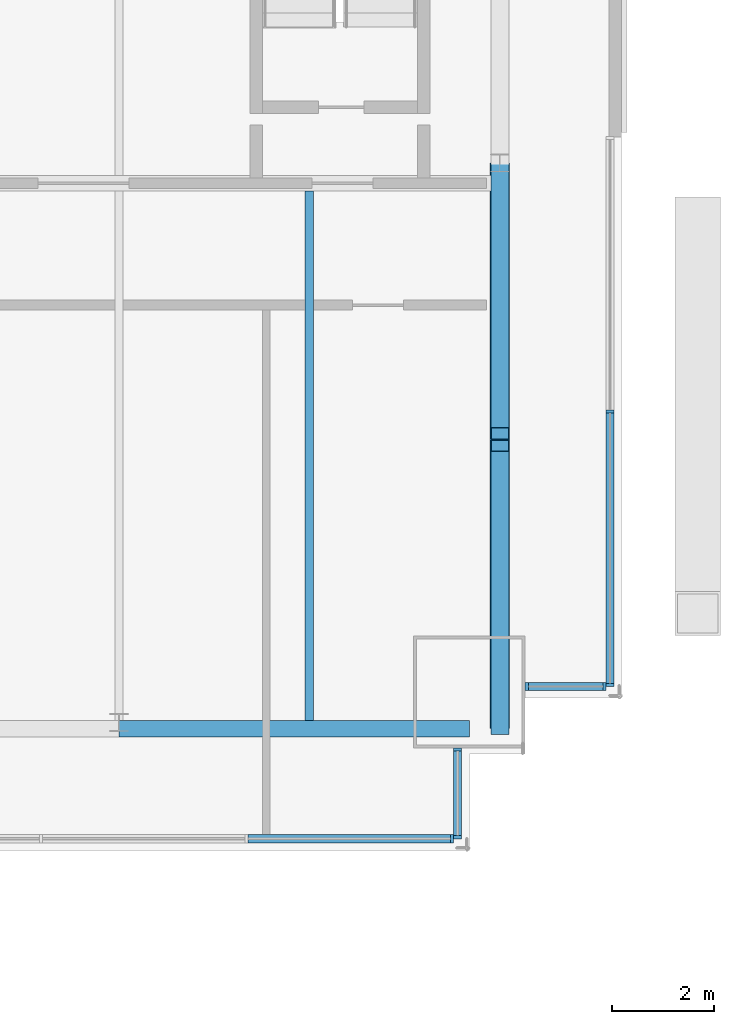
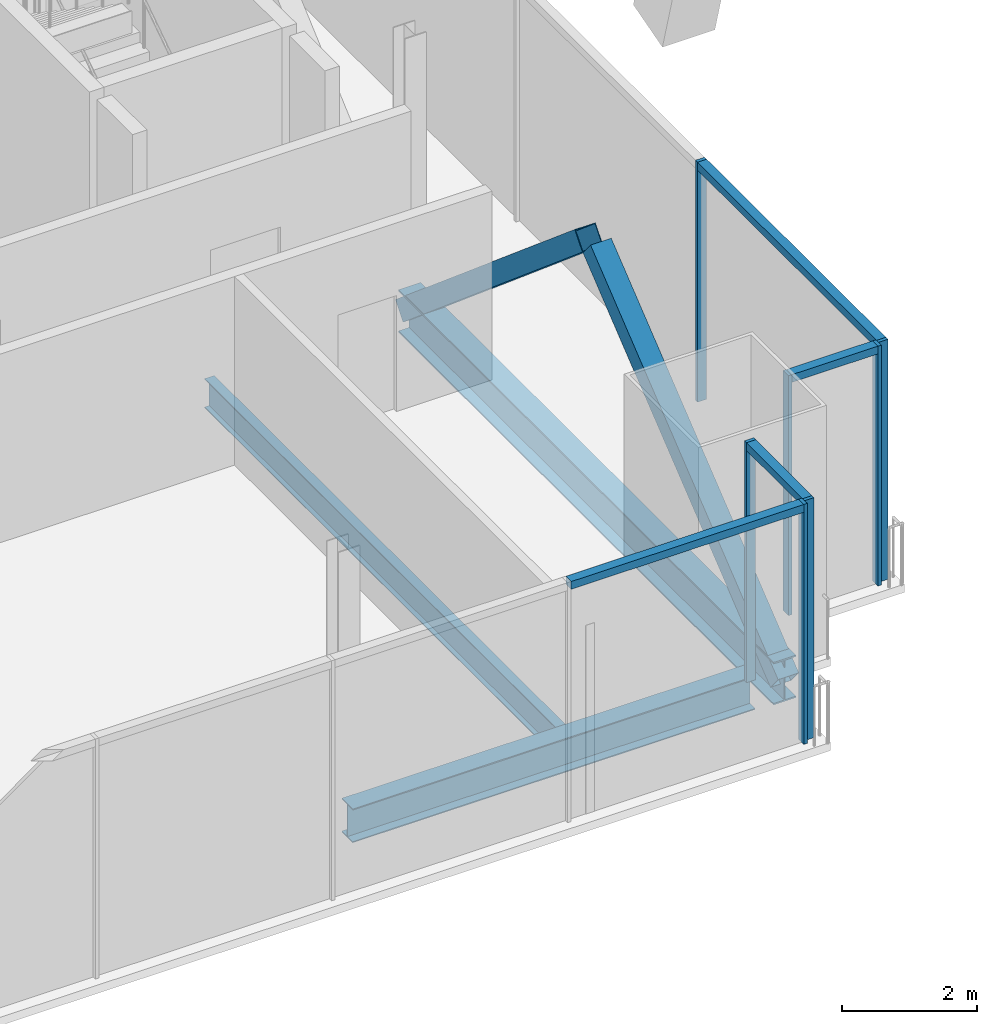
# One storey, part 12 of 22: 13 members, 3 beams, 4 elements without a shape of their own.
"""IFC4 building model written with IfcOpenShell, lengths in metres."""

from ifc_helpers import new_model, si_unit, direction, frame, origin, origin_2d, place, context, subcontext, project, spatial, rectangle, hollow_rectangle, i_section, extrude, material, material_profile, profile_set, type_object, element, aggregate, save


model = new_model("IFC4")

# Units and contexts
model_context = context("Model", 3, precision=1e-05, world=origin(), true_north=direction((0.0, 1.0)))
body_context = subcontext(model_context, "Body", "Model", "MODEL_VIEW")
ifc_project = project(units=[si_unit("LENGTHUNIT", "METRE"), si_unit("AREAUNIT", "SQUARE_METRE"), si_unit("VOLUMEUNIT", "CUBIC_METRE"), si_unit("PLANEANGLEUNIT", "RADIAN"), si_unit("MASSUNIT", "GRAM", prefix="KILO")], contexts=[model_context])

# Site, building, storey
site_placement = place(None, origin())
site = spatial("IfcSite", under=ifc_project, at=site_placement, CompositionType="ELEMENT")
building_placement = place(site_placement, origin())
building = spatial("IfcBuilding", under=site, at=building_placement, Name="Bicima Exchange Tower", CompositionType="ELEMENT")
storey_placement = place(building_placement, frame((0.0, 0.0, 315.5)))
storey = spatial("IfcBuildingStorey", under=building, at=storey_placement, Name="L71", CompositionType="ELEMENT", Elevation=315.5)

# Curtain wall, members
ifc_material_1 = material(Name="Anodised bronze aluminium", Category="aluminium")
curtain_wall_type_1 = type_object("IfcCurtainWallType", Name="End face glass wall", PredefinedType="NOTDEFINED", material=ifc_material_1)
curtain_wall_1_placement = place(storey_placement, origin())
curtain_wall_1 = element("IfcCurtainWall", 1, at=curtain_wall_1_placement, inside=storey, type_object=curtain_wall_type_1, Name="End face glass wall L71 run 19", PredefinedType="NOTDEFINED")
ifc_material_profile_1 = material_profile(ifc_material_1, rectangle(XDim=0.159912109375, YDim=0.06005859375, at=origin_2d()))
ifc_profile_set_1 = profile_set([ifc_material_profile_1], Name="Anodised bronze aluminium")
member_type_1 = type_object("IfcMemberType", Name="End face glass wall mullion 60 x 160", PredefinedType="MULLION", material=ifc_profile_set_1)
member_1_placement = place(storey_placement, frame((35.77001953125, -22.8798828125, 0.0), z_axis=(0.0, 0.0, 1.0), x_axis=(-1.0, 0.0, 0.0)))
member_1 = element("IfcMember", 2, at=member_1_placement, type_object=member_type_1, Name="End face glass wall mullion 1", PredefinedType="MULLION", context=body_context, shape_type="SweptSolid", body=[
    extrude(rectangle(XDim=0.159912109375, YDim=0.06005859375, at=origin_2d()), origin(), (0.0, 0.0, 1.0), 4.35009765625),
])
member_2_placement = place(storey_placement, frame((35.77001953125, -17.4951171875, 0.0), z_axis=(0.0, 0.0, 1.0), x_axis=(-1.0, 0.0, 0.0)))
member_2 = element("IfcMember", 3, at=member_2_placement, type_object=member_type_1, Name="End face glass wall mullion 2", PredefinedType="MULLION", context=body_context, shape_type="SweptSolid", body=[
    extrude(rectangle(XDim=0.159912109375, YDim=0.06005859375, at=origin_2d()), origin(), (0.0, 0.0, 1.0), 4.35009765625),
])
ifc_material_profile_2 = material_profile(ifc_material_1, rectangle(XDim=0.159912109375, YDim=0.139892578125, at=origin_2d()))
ifc_profile_set_2 = profile_set([ifc_material_profile_2], Name="Anodised bronze aluminium")
member_type_2 = type_object("IfcMemberType", Name="End face glass wall transom 140 x 160", PredefinedType="USERDEFINED", material=ifc_profile_set_2)
member_3_placement = place(storey_placement, frame((35.77001953125, -22.85009765625, 4.280029296875), z_axis=(0.0, 1.0, 0.0), x_axis=(-1.0, 0.0, 0.0)))
member_3 = element("IfcMember", 4, at=member_3_placement, type_object=member_type_2, Name="End face glass wall transom 1.1", ObjectType="TRANSOM", PredefinedType="USERDEFINED", context=body_context, shape_type="SweptSolid", body=[
    extrude(rectangle(XDim=0.159912109375, YDim=0.139892578125, at=origin_2d()), origin(), (0.0, 0.0, 1.0), 5.3251953125),
])
aggregate(curtain_wall_1, [member_1, member_2, member_3])

# Beams
ifc_material_2 = material(Name="Steel ASTM A992 Gr 50", Category="steel")
ifc_material_profile_3 = material_profile(ifc_material_2, i_section(OverallWidth=0.381103515625, OverallDepth=0.772216796875, WebThickness=0.0166015625, FlangeThickness=0.027099609375, at=origin_2d()))
ifc_profile_set_3 = profile_set([ifc_material_profile_3], Name="Steel ASTM A992 Gr 50")
beam_type_1 = type_object("IfcBeamType", Name="End girder W30x173", PredefinedType="BEAM", material=ifc_profile_set_3)
beam_1_placement = place(storey_placement, frame((33.60009765625, -12.60009765625, -0.5361328125), z_axis=(0.0, -1.0, 0.0), x_axis=(1.0, 0.0, 0.0)))
element("IfcBeam", 5, at=beam_1_placement, inside=storey, type_object=beam_type_1, Name="End girder", PredefinedType="BEAM", context=body_context, shape_type="SweptSolid", body=[
    extrude(i_section(OverallWidth=0.381103515625, OverallDepth=0.772216796875, WebThickness=0.0166015625, FlangeThickness=0.027099609375, at=origin_2d()), origin(), (0.0, 0.0, 1.0), 11.139892578125),
])
ifc_material_profile_4 = material_profile(ifc_material_2, i_section(OverallWidth=0.165771484375, OverallDepth=0.5283203125, WebThickness=0.009765625, FlangeThickness=0.013671875, at=origin_2d()))
ifc_profile_set_4 = profile_set([ifc_material_profile_4], Name="Steel ASTM A992 Gr 50")
beam_type_2 = type_object("IfcBeamType", Name="Floor beam W21x50", PredefinedType="JOIST", material=ifc_profile_set_4)
beam_2_placement = place(storey_placement, frame((29.85009765625, -13.15234375, -0.414306640625), z_axis=(0.0, -1.0, 0.0), x_axis=(1.0, 0.0, 0.0)))
element("IfcBeam", 6, at=beam_2_placement, inside=storey, type_object=beam_type_2, Name="Floor beam", PredefinedType="JOIST", context=body_context, shape_type="SweptSolid", body=[
    extrude(i_section(OverallWidth=0.165771484375, OverallDepth=0.5283203125, WebThickness=0.009765625, FlangeThickness=0.013671875, at=origin_2d()), origin(), (0.0, 0.0, 1.0), 10.425048828125),
])
ifc_material_profile_5 = material_profile(ifc_material_2, i_section(OverallWidth=0.3251953125, OverallDepth=0.612060546875, WebThickness=0.0126953125, FlangeThickness=0.01904296875, at=origin_2d()))
ifc_profile_set_5 = profile_set([ifc_material_profile_5], Name="Steel ASTM A992 Gr 50")
beam_type_3 = type_object("IfcBeamType", Name="Front girder W24x104", PredefinedType="BEAM", material=ifc_profile_set_5)
beam_3_placement = place(storey_placement, frame((26.10009765625, -23.739990234375, -0.4560546875), z_axis=(1.0, 0.0, 0.0), x_axis=(0.0, 1.0, 0.0)))
element("IfcBeam", 7, at=beam_3_placement, inside=storey, type_object=beam_type_3, Name="Front girder", PredefinedType="BEAM", context=body_context, shape_type="SweptSolid", body=[
    extrude(i_section(OverallWidth=0.3251953125, OverallDepth=0.612060546875, WebThickness=0.0126953125, FlangeThickness=0.01904296875, at=origin_2d()), origin(), (0.0, 0.0, 1.0), 6.89990234375),
])

# Curtain wall, member
curtain_wall_type_2 = type_object("IfcCurtainWallType", Name="Front glass wall", PredefinedType="NOTDEFINED", material=ifc_material_1)
curtain_wall_2_placement = place(storey_placement, origin())
curtain_wall_2 = element("IfcCurtainWall", 8, at=curtain_wall_2_placement, inside=storey, type_object=curtain_wall_type_2, Name="Front glass wall L71 run 16", PredefinedType="NOTDEFINED")
member_type_3 = type_object("IfcMemberType", Name="Front glass wall mullion 60 x 160", PredefinedType="MULLION", material=ifc_profile_set_1)
member_4_placement = place(storey_placement, frame((32.659912109375, -25.909912109375, 0.0), z_axis=(0.0, 0.0, 1.0), x_axis=(0.0, 1.0, 0.0)))
member_4 = element("IfcMember", 9, at=member_4_placement, type_object=member_type_3, Name="Front glass wall mullion 5", PredefinedType="MULLION", context=body_context, shape_type="SweptSolid", body=[
    extrude(rectangle(XDim=0.159912109375, YDim=0.06005859375, at=origin_2d()), origin(), (0.0, 0.0, 1.0), 4.35009765625),
])

# Curtain wall, members
curtain_wall_3_placement = place(storey_placement, origin())
curtain_wall_3 = element("IfcCurtainWall", 10, at=curtain_wall_3_placement, inside=storey, type_object=curtain_wall_type_2, Name="Front glass wall L71 run 17", PredefinedType="NOTDEFINED")
member_5_placement = place(storey_placement, frame((32.77001953125, -25.8798828125, 0.0), z_axis=(0.0, 0.0, 1.0), x_axis=(-1.0, 0.0, 0.0)))
member_5 = element("IfcMember", 11, at=member_5_placement, type_object=member_type_3, Name="Front glass wall mullion 1", PredefinedType="MULLION", context=body_context, shape_type="SweptSolid", body=[
    extrude(rectangle(XDim=0.159912109375, YDim=0.06005859375, at=origin_2d()), origin(), (0.0, 0.0, 1.0), 4.35009765625),
])
member_6_placement = place(storey_placement, frame((32.77001953125, -24.14794921875, 0.0), z_axis=(0.0, 0.0, 1.0), x_axis=(-1.0, 0.0, 0.0)))
member_6 = element("IfcMember", 12, at=member_6_placement, type_object=member_type_3, Name="Front glass wall mullion 2", PredefinedType="MULLION", context=body_context, shape_type="SweptSolid", body=[
    extrude(rectangle(XDim=0.159912109375, YDim=0.06005859375, at=origin_2d()), origin(), (0.0, 0.0, 1.0), 4.35009765625),
])

curtain_wall_4_placement = place(storey_placement, origin())
curtain_wall_4 = element("IfcCurtainWall", 13, at=curtain_wall_4_placement, inside=storey, type_object=curtain_wall_type_2, Name="Front glass wall L71 run 18", PredefinedType="NOTDEFINED")
member_7_placement = place(storey_placement, frame((34.1298828125, -22.909912109375, 0.0), z_axis=(0.0, 0.0, 1.0), x_axis=(0.0, 1.0, 0.0)))
member_7 = element("IfcMember", 14, at=member_7_placement, type_object=member_type_3, Name="Front glass wall mullion 1", PredefinedType="MULLION", context=body_context, shape_type="SweptSolid", body=[
    extrude(rectangle(XDim=0.159912109375, YDim=0.06005859375, at=origin_2d()), origin(), (0.0, 0.0, 1.0), 4.35009765625),
])
member_8_placement = place(storey_placement, frame((35.659912109375, -22.909912109375, 0.0), z_axis=(0.0, 0.0, 1.0), x_axis=(0.0, 1.0, 0.0)))
member_8 = element("IfcMember", 15, at=member_8_placement, type_object=member_type_3, Name="Front glass wall mullion 2", PredefinedType="MULLION", context=body_context, shape_type="SweptSolid", body=[
    extrude(rectangle(XDim=0.159912109375, YDim=0.06005859375, at=origin_2d()), origin(), (0.0, 0.0, 1.0), 4.35009765625),
])

# Member
member_type_4 = type_object("IfcMemberType", Name="Front glass wall transom 140 x 160", PredefinedType="USERDEFINED", material=ifc_profile_set_2)
member_9_placement = place(storey_placement, frame((28.640380859375, -25.909912109375, 4.280029296875), z_axis=(1.0, 0.0, 0.0), x_axis=(0.0, 1.0, 0.0)))
member_9 = element("IfcMember", 16, at=member_9_placement, type_object=member_type_4, Name="Front glass wall transom 4.1", ObjectType="TRANSOM", PredefinedType="USERDEFINED", context=body_context, shape_type="SweptSolid", body=[
    extrude(rectangle(XDim=0.159912109375, YDim=0.139892578125, at=origin_2d()), origin(), (0.0, 0.0, 1.0), 3.989501953125),
])

aggregate(curtain_wall_2, [member_4, member_9])

member_10_placement = place(storey_placement, frame((32.77001953125, -25.85009765625, 4.280029296875), z_axis=(0.0, 1.0, 0.0), x_axis=(-1.0, 0.0, 0.0)))
member_10 = element("IfcMember", 17, at=member_10_placement, type_object=member_type_4, Name="Front glass wall transom 1.1", ObjectType="TRANSOM", PredefinedType="USERDEFINED", context=body_context, shape_type="SweptSolid", body=[
    extrude(rectangle(XDim=0.159912109375, YDim=0.139892578125, at=origin_2d()), origin(), (0.0, 0.0, 1.0), 1.672119140625),
])

aggregate(curtain_wall_3, [member_5, member_6, member_10])

member_11_placement = place(storey_placement, frame((34.159912109375, -22.909912109375, 4.280029296875), z_axis=(1.0, 0.0, 0.0), x_axis=(0.0, 1.0, 0.0)))
member_11 = element("IfcMember", 18, at=member_11_placement, type_object=member_type_4, Name="Front glass wall transom 1.1", ObjectType="TRANSOM", PredefinedType="USERDEFINED", context=body_context, shape_type="SweptSolid", body=[
    extrude(rectangle(XDim=0.159912109375, YDim=0.139892578125, at=origin_2d()), origin(), (0.0, 0.0, 1.0), 1.469970703125),
])

aggregate(curtain_wall_4, [member_7, member_8, member_11])

# Members
ifc_material_3 = material(Name="Steel ASTM A572 Gr 50", Category="steel")
ifc_material_profile_6 = material_profile(ifc_material_3, hollow_rectangle(XDim=0.355712890625, YDim=0.355712890625, WallThickness=0.01171875, at=origin_2d()))
ifc_profile_set_6 = profile_set([ifc_material_profile_6], Name="Steel ASTM A572 Gr 50")
member_type_5 = type_object("IfcMemberType", Name="Mega brace HSS14x14x1/2", PredefinedType="BRACE", material=ifc_profile_set_6)
member_12_placement = place(storey_placement, frame((33.60009765625, -12.60009765625, -0.5361328125), z_axis=(0.0, -0.76384961339, 0.64539427339), x_axis=(1.0, 0.0, 0.0)))
element("IfcMember", 19, at=member_12_placement, inside=storey, type_object=member_type_5, Name="Mega brace east end", PredefinedType="BRACE", context=body_context, shape_type="SweptSolid", body=[
    extrude(hollow_rectangle(XDim=0.355712890625, YDim=0.355712890625, WallThickness=0.01171875, at=origin_2d()), origin(), (0.0, 0.0, 1.0), 6.972412109375),
])
member_13_placement = place(storey_placement, frame((33.60009765625, -23.739990234375, -0.5361328125), z_axis=(0.0, 0.777866178956, 0.628429954439), x_axis=(-1.0, 0.0, 0.0)))
element("IfcMember", 20, at=member_13_placement, inside=storey, type_object=member_type_5, Name="Mega brace east end", PredefinedType="BRACE", context=body_context, shape_type="SweptSolid", body=[
    extrude(hollow_rectangle(XDim=0.355712890625, YDim=0.355712890625, WallThickness=0.01171875, at=origin_2d()), origin(), (0.0, 0.0, 1.0), 7.16064453125),
])

save(model, "model.ifc")
